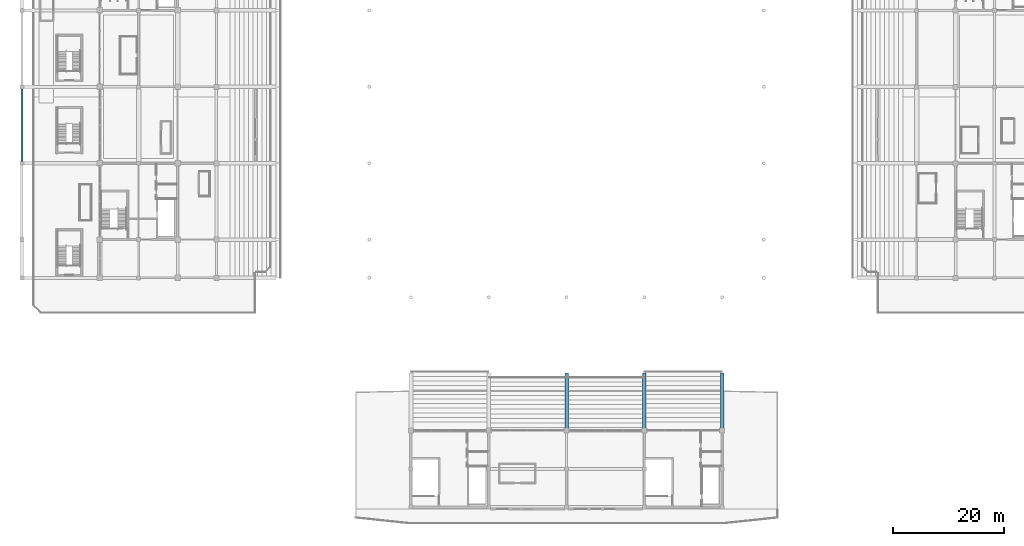
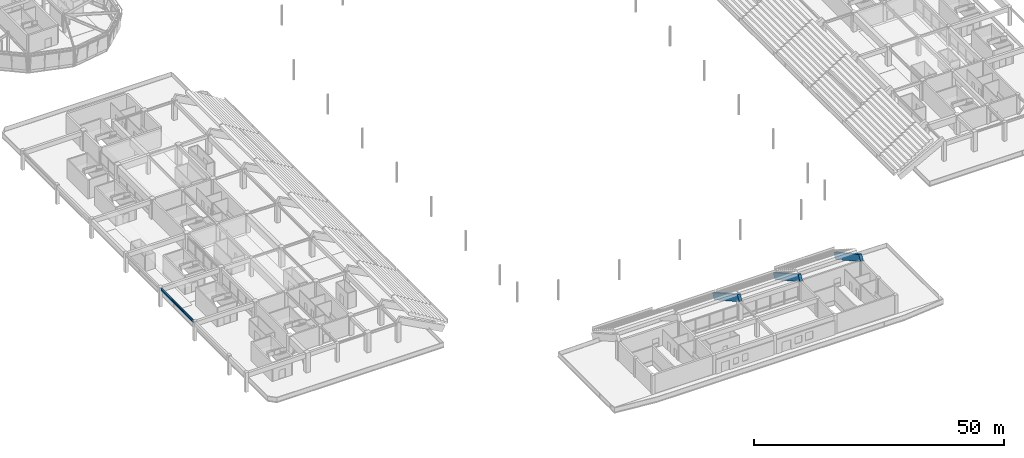
# One storey, part 24 of 94: 4 beams.
"""IFC4 building model written with IfcOpenShell, lengths in metres."""

from ifc_helpers import new_model, si_unit, direction, frame, origin, origin_2d, place, context, subcontext, project, spatial, rectangle, i_section, extrude, material, material_profile, profile_set, type_object, element, save


model = new_model("IFC4")

# Units and contexts
model_context = context("Model", 3, precision=1e-05, world=origin(), true_north=direction((0.0, 1.0)))
body_context = subcontext(model_context, "Body", "Model", "MODEL_VIEW")
ifc_project = project(units=[si_unit("LENGTHUNIT", "METRE"), si_unit("AREAUNIT", "SQUARE_METRE"), si_unit("VOLUMEUNIT", "CUBIC_METRE"), si_unit("PLANEANGLEUNIT", "RADIAN"), si_unit("MASSUNIT", "GRAM", prefix="KILO")], contexts=[model_context])

# Site, building, storey
site_placement = place(None, origin())
site = spatial("IfcSite", under=ifc_project, at=site_placement, CompositionType="ELEMENT")
building_placement = place(site_placement, origin())
building = spatial("IfcBuilding", under=site, at=building_placement, Name="Linyun Crest Stadium", CompositionType="ELEMENT")
storey_placement = place(building_placement, frame((0.0, 0.0, 16.199951171875)))
storey = spatial("IfcBuildingStorey", under=building, at=storey_placement, Name="L04", CompositionType="ELEMENT", Elevation=16.199951171875)

# Beams
ifc_material_1 = material(Name="Steel Q355C", Category="steel")
ifc_material_profile_1 = material_profile(ifc_material_1, i_section(OverallWidth=0.300048828125, OverallDepth=0.587890625, WebThickness=0.011962890625, FlangeThickness=0.02001953125, at=origin_2d()), Name="HM 588x300")
ifc_profile_set_1 = profile_set([ifc_material_profile_1], Name="Steel Q355C")
beam_type_1 = type_object("IfcBeamType", Name="B09", PredefinedType="BEAM", material=ifc_profile_set_1)
beam_placement = place(storey_placement, frame((-98.0, -25.02490234375, 4.30615234375), z_axis=(0.0, 1.0, 0.0), x_axis=(-1.0, 0.0, 0.0)))
element("IfcBeam", 1, at=beam_placement, inside=storey, type_object=beam_type_1, Name="Frame beam B09 L04 322", PredefinedType="BEAM", context=body_context, shape_type="SweptSolid", body=[
    extrude(i_section(OverallWidth=0.300048828125, OverallDepth=0.587890625, WebThickness=0.011962890625, FlangeThickness=0.02001953125, at=origin_2d()), origin(), (0.0, 0.0, 1.0), 13.0498046875),
])
ifc_material_2 = material(Name="Precast concrete C50", Category="concrete")
ifc_material_profile_2 = material_profile(ifc_material_2, rectangle(XDim=0.64990234375, YDim=1.5, at=origin_2d()), Name="PCR 1500x650")
ifc_profile_set_2 = profile_set([ifc_material_profile_2], Name="Precast concrete C50")
beam_type_2 = type_object("IfcBeamType", Name="RB04", PredefinedType="USERDEFINED", material=ifc_profile_set_2)
for number, where, z_axis, x_axis, name in (
    (2, (0.0, -63.5, -0.39990234375), (0.0, -0.872511464526, 0.488593639205), (1.0, 0.0, 0.0), "Precast raker beam RB04 V4 82"),
    (3, (14.0, -63.5, -0.39990234375), (0.0, -0.872511464526, 0.488593639205), (1.0, 0.0, 0.0), "Precast raker beam RB04 V4 88"),
    (4, (28.0, -63.5, -0.39990234375), (0.0, -0.872511464526, 0.488593639205), (1.0, 0.0, 0.0), "Precast raker beam RB04 V4 94"),
):
    element("IfcBeam", number, at=place(storey_placement, frame(where, z_axis=z_axis, x_axis=x_axis)), inside=storey, type_object=beam_type_2, Name=name, ObjectType="RAKER", PredefinedType="USERDEFINED", context=body_context, shape_type="SweptSolid", body=[
        extrude(rectangle(XDim=0.64990234375, YDim=1.5, at=origin_2d()), origin(), (0.0, 0.0, 1.0), 11.461181640625),
    ])

save(model, "model.ifc")
